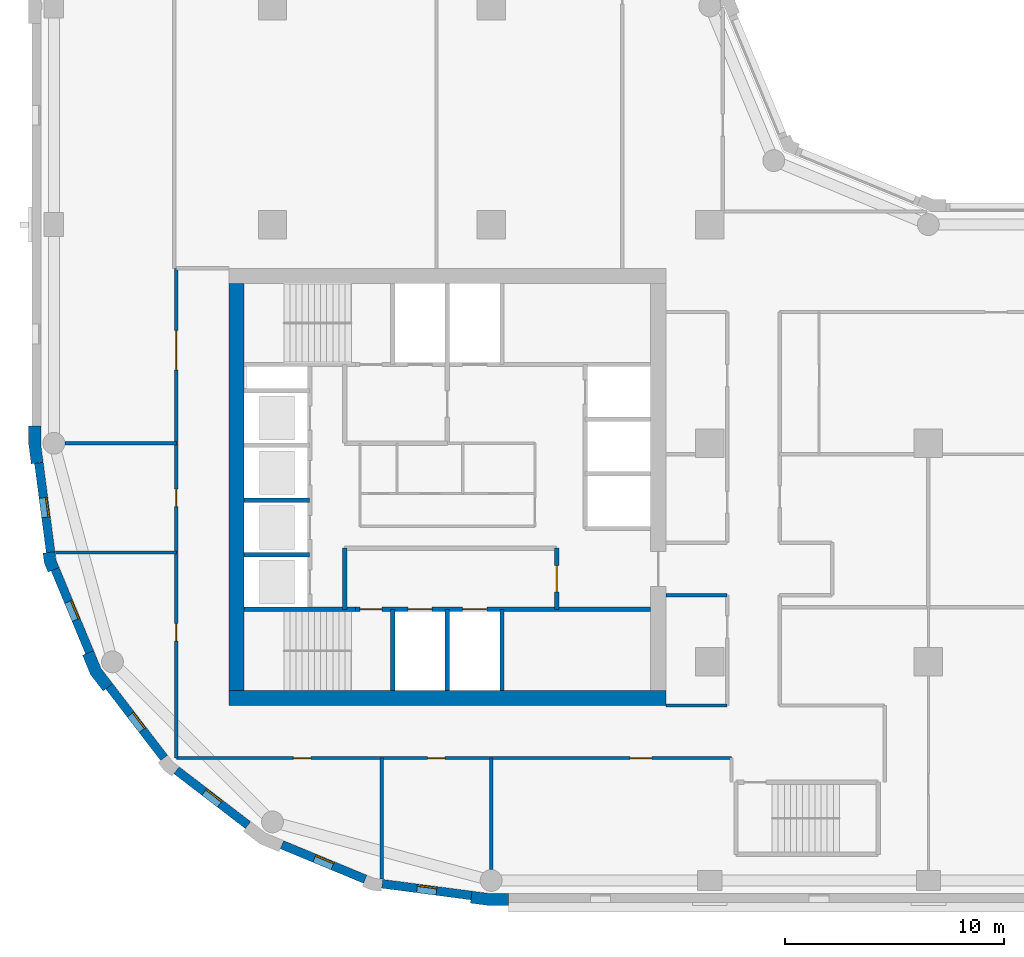
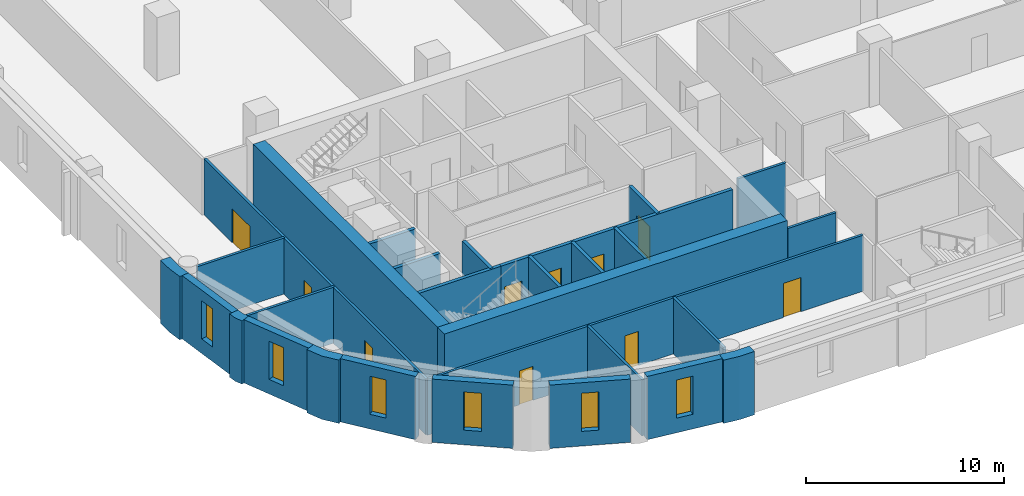
# One storey, part 2 of 9: 29 walls, 10 doors, 6 windows, 16 openings.
"""IFC4 building model written with IfcOpenShell, lengths in metres."""

from ifc_helpers import new_model, si_unit, direction, frame, frame_2d, origin, place, context, subcontext, project, spatial, polyline, rectangle, outline, extrude, material, layer, layer_set, type_object, element, fill, save


model = new_model("IFC4")

# Units and contexts
model_context = context("Model", 3, precision=1e-05, world=origin(), true_north=direction((0.0, 1.0)))
body_context = subcontext(model_context, "Body", "Model", "MODEL_VIEW")
ifc_project = project(units=[si_unit("LENGTHUNIT", "METRE"), si_unit("AREAUNIT", "SQUARE_METRE"), si_unit("VOLUMEUNIT", "CUBIC_METRE"), si_unit("PLANEANGLEUNIT", "RADIAN"), si_unit("MASSUNIT", "GRAM", prefix="KILO")], contexts=[model_context])

# Site, building, storey
site_placement = place(None, origin())
site = spatial("IfcSite", under=ifc_project, at=site_placement, CompositionType="ELEMENT")
building_placement = place(site_placement, origin())
building = spatial("IfcBuilding", under=site, at=building_placement, Name="Qaws Garden Tower", CompositionType="ELEMENT")
storey_placement = place(building_placement, frame((0.0, 0.0, 233.10009765625)))
storey = spatial("IfcBuildingStorey", under=building, at=storey_placement, Name="L57", CompositionType="ELEMENT", Elevation=233.10009765625)

# Wall, opening, window
ifc_material_1 = material(Name="Buff clay facing brick masonry", Category="masonry")
ifc_layer_1 = layer(ifc_material_1, 0.39990234375)
ifc_layer_set_1 = layer_set([ifc_layer_1], Name="Buff clay facing brick masonry")
wall_type_1 = type_object("IfcWallType", Name="Buff brick infill wall 400", PredefinedType="SOLIDWALL", material=ifc_layer_set_1)
wall_1_placement = place(storey_placement, frame((-0.688720703125, 19.102294921875, 0.0), z_axis=(0.0, 0.0, 1.0), x_axis=(0.130514280502, -0.991446429508, 0.0)))
wall_1 = element("IfcWall", 1, at=wall_1_placement, inside=storey, type_object=wall_type_1, Name="E-L57-infill-25", PredefinedType="SOLIDWALL", context=body_context, shape_type="SweptSolid", body=[
    extrude(rectangle(XDim=4.120849609375, YDim=0.39990234375, at=frame_2d((2.060546875, 0.0))), origin(), (0.0, 0.0, 1.0), 3.89990234375),
])
opening_1_placement = place(wall_1_placement, frame((1.610595703125, 0.0, 0.89990234375)))
opening_1 = element("IfcOpeningElement", 2, at=opening_1_placement, cuts=wall_1, Name="Opening W09", PredefinedType="OPENING", context=body_context, shape_type="SweptSolid", body=[
    extrude(rectangle(XDim=0.89990234375, YDim=2.35009765625, at=frame_2d((0.449951171875, 1.175048828125))), frame((0.0, 0.2099609375, 0.0), z_axis=(0.0, -1.0, 0.0), x_axis=(1.0, 0.0, 0.0)), (0.0, 0.0, 1.0), 0.419921875),
])
ifc_material_2 = material(Name="Aluminium framed window, clear glazing", Category="aluminium")
window_type = type_object("IfcWindowType", Name="Slit window 900 x 2350", PartitioningType="SINGLE_PANEL", PredefinedType="WINDOW", material=ifc_material_2)
window_1_placement = place(opening_1_placement, origin())
window_1 = element("IfcWindow", 3, at=window_1_placement, inside=storey, type_object=window_type, Name="E-L57-window-25-0", OverallHeight=2.35009765625, OverallWidth=0.89990234375, PartitioningType="SINGLE_PANEL", PredefinedType="WINDOW", context=body_context, shape_type="SweptSolid", body=[
    extrude(rectangle(XDim=0.89990234375, YDim=2.35009765625, at=frame_2d((0.449951171875, 1.175048828125))), frame((0.0, 0.159912109375, 0.0), z_axis=(0.0, -1.0, 0.0), x_axis=(1.0, 0.0, 0.0)), (0.0, 0.0, 1.0), 0.06005859375),
])
fill(opening_1, window_1)

wall_2_placement = place(storey_placement, frame((0.05712890625, 14.240234375, 0.0), z_axis=(0.0, 0.0, 1.0), x_axis=(0.382721546029, -0.923863744394, 0.0)))
wall_2 = element("IfcWall", 4, at=wall_2_placement, inside=storey, type_object=wall_type_1, Name="E-L57-infill-26", PredefinedType="SOLIDWALL", context=body_context, shape_type="SweptSolid", body=[
    extrude(rectangle(XDim=4.120849609375, YDim=0.39990234375, at=frame_2d((2.060546875, 0.0))), origin(), (0.0, 0.0, 1.0), 3.89990234375),
])
opening_2_placement = place(wall_2_placement, frame((1.610595703125, 0.0, 0.89990234375)))
opening_2 = element("IfcOpeningElement", 5, at=opening_2_placement, cuts=wall_2, Name="Opening W09", PredefinedType="OPENING", context=body_context, shape_type="SweptSolid", body=[
    extrude(rectangle(XDim=0.89990234375, YDim=2.35009765625, at=frame_2d((0.449951171875, 1.175048828125))), frame((0.0, 0.2099609375, 0.0), z_axis=(0.0, -1.0, 0.0), x_axis=(1.0, 0.0, 0.0)), (0.0, 0.0, 1.0), 0.419921875),
])
window_2_placement = place(opening_2_placement, origin())
window_2 = element("IfcWindow", 6, at=window_2_placement, inside=storey, type_object=window_type, Name="E-L57-window-26-0", OverallHeight=2.35009765625, OverallWidth=0.89990234375, PartitioningType="SINGLE_PANEL", PredefinedType="WINDOW", context=body_context, shape_type="SweptSolid", body=[
    extrude(rectangle(XDim=0.89990234375, YDim=2.35009765625, at=frame_2d((0.449951171875, 1.175048828125))), frame((0.0, 0.159912109375, 0.0), z_axis=(0.0, -1.0, 0.0), x_axis=(1.0, 0.0, 0.0)), (0.0, 0.0, 1.0), 0.06005859375),
])
fill(opening_2, window_2)

wall_3_placement = place(storey_placement, frame((2.53173828125, 8.87841796875, 0.0), z_axis=(0.0, 0.0, 1.0), x_axis=(0.608759824817, -0.793354571229, 0.0)))
wall_3 = element("IfcWall", 7, at=wall_3_placement, inside=storey, type_object=wall_type_1, Name="E-L57-infill-27", PredefinedType="SOLIDWALL", context=body_context, shape_type="SweptSolid", body=[
    extrude(rectangle(XDim=4.12109375, YDim=0.39990234375, at=frame_2d((2.060546875, 0.0))), origin(), (0.0, 0.0, 1.0), 3.89990234375),
])
opening_3_placement = place(wall_3_placement, frame((1.610595703125, 0.0, 0.89990234375)))
opening_3 = element("IfcOpeningElement", 8, at=opening_3_placement, cuts=wall_3, Name="Opening W09", PredefinedType="OPENING", context=body_context, shape_type="SweptSolid", body=[
    extrude(rectangle(XDim=0.89990234375, YDim=2.35009765625, at=frame_2d((0.449951171875, 1.175048828125))), frame((0.0, 0.2099609375, 0.0), z_axis=(0.0, -1.0, 0.0), x_axis=(1.0, 0.0, 0.0)), (0.0, 0.0, 1.0), 0.419921875),
])
window_3_placement = place(opening_3_placement, origin())
window_3 = element("IfcWindow", 9, at=window_3_placement, inside=storey, type_object=window_type, Name="E-L57-window-27-0", OverallHeight=2.35009765625, OverallWidth=0.89990234375, PartitioningType="SINGLE_PANEL", PredefinedType="WINDOW", context=body_context, shape_type="SweptSolid", body=[
    extrude(rectangle(XDim=0.89990234375, YDim=2.35009765625, at=frame_2d((0.449951171875, 1.175048828125))), frame((0.0, 0.159912109375, 0.0), z_axis=(0.0, -1.0, 0.0), x_axis=(1.0, 0.0, 0.0)), (0.0, 0.0, 1.0), 0.06005859375),
])
fill(opening_3, window_3)

wall_4_placement = place(storey_placement, frame((5.60888671875, 5.04052734375, 0.0), z_axis=(0.0, 0.0, 1.0), x_axis=(0.793354571229, -0.608759824817, 0.0)))
wall_4 = element("IfcWall", 10, at=wall_4_placement, inside=storey, type_object=wall_type_1, Name="E-L57-infill-28", PredefinedType="SOLIDWALL", context=body_context, shape_type="SweptSolid", body=[
    extrude(rectangle(XDim=4.12109375, YDim=0.39990234375, at=frame_2d((2.060546875, 0.0))), origin(), (0.0, 0.0, 1.0), 3.89990234375),
])
opening_4_placement = place(wall_4_placement, frame((1.610595703125, 0.0, 0.89990234375)))
opening_4 = element("IfcOpeningElement", 11, at=opening_4_placement, cuts=wall_4, Name="Opening W09", PredefinedType="OPENING", context=body_context, shape_type="SweptSolid", body=[
    extrude(rectangle(XDim=0.89990234375, YDim=2.35009765625, at=frame_2d((0.449951171875, 1.175048828125))), frame((0.0, 0.2099609375, 0.0), z_axis=(0.0, -1.0, 0.0), x_axis=(1.0, 0.0, 0.0)), (0.0, 0.0, 1.0), 0.419921875),
])
window_4_placement = place(opening_4_placement, origin())
window_4 = element("IfcWindow", 12, at=window_4_placement, inside=storey, type_object=window_type, Name="E-L57-window-28-0", OverallHeight=2.35009765625, OverallWidth=0.89990234375, PartitioningType="SINGLE_PANEL", PredefinedType="WINDOW", context=body_context, shape_type="SweptSolid", body=[
    extrude(rectangle(XDim=0.89990234375, YDim=2.35009765625, at=frame_2d((0.449951171875, 1.175048828125))), frame((0.0, 0.159912109375, 0.0), z_axis=(0.0, -1.0, 0.0), x_axis=(1.0, 0.0, 0.0)), (0.0, 0.0, 1.0), 0.06005859375),
])
fill(opening_4, window_4)

wall_5_placement = place(storey_placement, frame((10.43310546875, 1.63427734375, 0.0), z_axis=(0.0, 0.0, 1.0), x_axis=(0.923863744394, -0.382721546029, 0.0)))
wall_5 = element("IfcWall", 13, at=wall_5_placement, inside=storey, type_object=wall_type_1, Name="E-L57-infill-29", PredefinedType="SOLIDWALL", context=body_context, shape_type="SweptSolid", body=[
    extrude(rectangle(XDim=4.120849609375, YDim=0.39990234375, at=frame_2d((2.060546875, 0.0))), origin(), (0.0, 0.0, 1.0), 3.89990234375),
])
opening_5_placement = place(wall_5_placement, frame((1.610595703125, 0.0, 0.89990234375)))
opening_5 = element("IfcOpeningElement", 14, at=opening_5_placement, cuts=wall_5, Name="Opening W09", PredefinedType="OPENING", context=body_context, shape_type="SweptSolid", body=[
    extrude(rectangle(XDim=0.89990234375, YDim=2.35009765625, at=frame_2d((0.449951171875, 1.175048828125))), frame((0.0, 0.2099609375, 0.0), z_axis=(0.0, -1.0, 0.0), x_axis=(1.0, 0.0, 0.0)), (0.0, 0.0, 1.0), 0.419921875),
])
window_5_placement = place(opening_5_placement, origin())
window_5 = element("IfcWindow", 15, at=window_5_placement, inside=storey, type_object=window_type, Name="E-L57-window-29-0", OverallHeight=2.35009765625, OverallWidth=0.89990234375, PartitioningType="SINGLE_PANEL", PredefinedType="WINDOW", context=body_context, shape_type="SweptSolid", body=[
    extrude(rectangle(XDim=0.89990234375, YDim=2.35009765625, at=frame_2d((0.449951171875, 1.175048828125))), frame((0.0, 0.159912109375, 0.0), z_axis=(0.0, -1.0, 0.0), x_axis=(1.0, 0.0, 0.0)), (0.0, 0.0, 1.0), 0.06005859375),
])
fill(opening_5, window_5)

wall_6_placement = place(storey_placement, frame((15.0166015625, -0.15087890625, 0.0), z_axis=(0.0, 0.0, 1.0), x_axis=(0.991446429508, -0.130514280502, 0.0)))
wall_6 = element("IfcWall", 16, at=wall_6_placement, inside=storey, type_object=wall_type_1, Name="E-L57-infill-30", PredefinedType="SOLIDWALL", context=body_context, shape_type="SweptSolid", body=[
    extrude(rectangle(XDim=4.120849609375, YDim=0.39990234375, at=frame_2d((2.060546875, 0.0))), origin(), (0.0, 0.0, 1.0), 3.89990234375),
])
opening_6_placement = place(wall_6_placement, frame((1.610595703125, 0.0, 0.89990234375)))
opening_6 = element("IfcOpeningElement", 17, at=opening_6_placement, cuts=wall_6, Name="Opening W09", PredefinedType="OPENING", context=body_context, shape_type="SweptSolid", body=[
    extrude(rectangle(XDim=0.89990234375, YDim=2.35009765625, at=frame_2d((0.449951171875, 1.175048828125))), frame((0.0, 0.2099609375, 0.0), z_axis=(0.0, -1.0, 0.0), x_axis=(1.0, 0.0, 0.0)), (0.0, 0.0, 1.0), 0.419921875),
])
window_6_placement = place(opening_6_placement, origin())
window_6 = element("IfcWindow", 18, at=window_6_placement, inside=storey, type_object=window_type, Name="E-L57-window-30-0", OverallHeight=2.35009765625, OverallWidth=0.89990234375, PartitioningType="SINGLE_PANEL", PredefinedType="WINDOW", context=body_context, shape_type="SweptSolid", body=[
    extrude(rectangle(XDim=0.89990234375, YDim=2.35009765625, at=frame_2d((0.449951171875, 1.175048828125))), frame((0.0, 0.159912109375, 0.0), z_axis=(0.0, -1.0, 0.0), x_axis=(1.0, 0.0, 0.0)), (0.0, 0.0, 1.0), 0.06005859375),
])
fill(opening_6, window_6)

# Walls
ifc_material_3 = material(Name="Buff clay facing brick masonry", Category="masonry")
ifc_layer_2 = layer(ifc_material_3, 0.550048828125)
ifc_layer_set_2 = layer_set([ifc_layer_2], Name="Buff clay facing brick masonry")
wall_type_2 = type_object("IfcWallType", Name="Buff brick kink pier 550 x 600", PredefinedType="SOLIDWALL", material=ifc_layer_set_2)
placement = place(storey_placement, origin())
element("IfcWall", 19, at=placement, inside=storey, type_object=wall_type_2, Name="E-L57-pier-26", PredefinedType="SOLIDWALL", context=body_context, shape_type="SweptSolid", body=[
    extrude(outline(polyline([(-0.34912109375, 14.990478515625), (-0.497802734375, 14.970947265625), (-0.43896484375, 14.5234375), (-0.26611328125, 14.1064453125), (-0.127685546875, 14.163818359375), (0.241943359375, 14.31689453125), (0.096923828125, 14.6669921875), (0.04736328125, 15.042724609375), (-0.34912109375, 14.990478515625)])), origin(), (0.0, 0.0, 1.0), 3.89990234375),
])
ifc_material_4 = material(Name="Buff clay facing brick masonry", Category="masonry")
ifc_layer_3 = layer(ifc_material_4, 0.550048828125)
ifc_layer_set_3 = layer_set([ifc_layer_3], Name="Buff clay facing brick masonry")
wall_type_3 = type_object("IfcWallType", Name="Buff brick pier 550 x 1600", PredefinedType="SOLIDWALL", material=ifc_layer_set_3)
element("IfcWall", 20, at=placement, inside=storey, type_object=wall_type_3, Name="E-L57-pier-00", PredefinedType="SOLIDWALL", context=body_context, shape_type="SweptSolid", body=[
    extrude(outline(polyline([(19.076416015625, -0.886962890625), (19.056640625, -1.03564453125), (19.924560546875, -1.14990234375), (20.800048828125, -1.14990234375), (20.800048828125, -1.0), (20.800048828125, -0.60009765625), (19.960693359375, -0.60009765625), (19.12841796875, -0.490478515625), (19.076416015625, -0.886962890625)])), origin(), (0.0, 0.0, 1.0), 3.89990234375),
])
element("IfcWall", 21, at=placement, inside=storey, type_object=wall_type_3, Name="E-L57-pier-25", PredefinedType="SOLIDWALL", context=body_context, shape_type="SweptSolid", body=[
    extrude(outline(polyline([(-1.0, 20.800048828125), (-1.14990234375, 20.800048828125), (-1.14990234375, 19.924560546875), (-1.03564453125, 19.056640625), (-0.886962890625, 19.076416015625), (-0.490478515625, 19.12841796875), (-0.60009765625, 19.960693359375), (-0.60009765625, 20.800048828125), (-1.0, 20.800048828125)])), origin(), (0.0, 0.0, 1.0), 3.89990234375),
])
element("IfcWall", 22, at=placement, inside=storey, type_object=wall_type_3, Name="E-L57-pier-27", PredefinedType="SOLIDWALL", context=body_context, shape_type="SweptSolid", body=[
    extrude(outline(polyline([(1.449462890625, 10.3564453125), (1.310791015625, 10.299072265625), (1.675048828125, 9.419921875), (2.254150390625, 8.665283203125), (2.373046875, 8.756591796875), (2.6904296875, 9.0), (2.1552734375, 9.697509765625), (1.819091796875, 10.509521484375), (1.449462890625, 10.3564453125)])), origin(), (0.0, 0.0, 1.0), 3.89990234375),
])
ifc_material_5 = material(Name="Concrete C70", Category="concrete")
ifc_layer_4 = layer(ifc_material_5, 0.199951171875)
ifc_layer_set_4 = layer_set([ifc_layer_4], Name="Concrete C70")
wall_type_4 = type_object("IfcWallType", Name="Core shaft wall 200 C70", PredefinedType="SHEAR", material=ifc_layer_set_4)
wall_11_placement = place(storey_placement, frame((8.699951171875, 12.39990234375, 0.0), z_axis=(0.0, 0.0, 1.0), x_axis=(1.0, 0.0, 0.0)))
element("IfcWall", 23, at=wall_11_placement, inside=storey, type_object=wall_type_4, Name="Shaft wall", PredefinedType="SHEAR", context=body_context, shape_type="SweptSolid", body=[
    extrude(rectangle(XDim=5.10009765625, YDim=0.199951171875, at=frame_2d((2.550048828125, 0.0))), origin(), (0.0, 0.0, 1.0), 3.449951171875),
])

# Wall, openings, doors
wall_12_placement = place(storey_placement, frame((13.800048828125, 12.39990234375, 0.0), z_axis=(0.0, 0.0, 1.0), x_axis=(1.0, 0.0, 0.0)))
wall_12 = element("IfcWall", 24, at=wall_12_placement, inside=storey, type_object=wall_type_4, Name="Shaft wall", PredefinedType="SHEAR", context=body_context, shape_type="SweptSolid", body=[
    extrude(rectangle(XDim=13.5, YDim=0.199951171875, at=frame_2d((6.75, 0.0))), origin(), (0.0, 0.0, 1.0), 3.449951171875),
])
opening_7_placement = place(wall_12_placement, frame((2.39990234375, 0.0, 0.0)))
opening_7 = element("IfcOpeningElement", 25, at=opening_7_placement, cuts=wall_12, Name="Opening LD06", PredefinedType="OPENING", context=body_context, shape_type="SweptSolid", body=[
    extrude(rectangle(XDim=1.10009765625, YDim=2.10009765625, at=frame_2d((0.550048828125, 1.050048828125))), frame((0.0, 0.10986328125, 0.0), z_axis=(0.0, -1.0, 0.0), x_axis=(1.0, 0.0, 0.0)), (0.0, 0.0, 1.0), 0.219970703125),
])
opening_8_placement = place(wall_12_placement, frame((4.89990234375, 0.0, 0.0)))
opening_8 = element("IfcOpeningElement", 26, at=opening_8_placement, cuts=wall_12, Name="Opening LD07", PredefinedType="OPENING", context=body_context, shape_type="SweptSolid", body=[
    extrude(rectangle(XDim=1.10009765625, YDim=2.10009765625, at=frame_2d((0.550048828125, 1.050048828125))), frame((0.0, 0.10986328125, 0.0), z_axis=(0.0, -1.0, 0.0), x_axis=(1.0, 0.0, 0.0)), (0.0, 0.0, 1.0), 0.219970703125),
])
opening_9_placement = place(wall_12_placement, frame((0.199951171875, 0.0, 0.0)))
opening_9 = element("IfcOpeningElement", 27, at=opening_9_placement, cuts=wall_12, Name="Opening SD10", PredefinedType="OPENING", context=body_context, shape_type="SweptSolid", body=[
    extrude(rectangle(XDim=1.0, YDim=2.10009765625, at=frame_2d((0.5, 1.050048828125))), frame((0.0, 0.10986328125, 0.0), z_axis=(0.0, -1.0, 0.0), x_axis=(1.0, 0.0, 0.0)), (0.0, 0.0, 1.0), 0.219970703125),
])
ifc_material_6 = material(Name="Steel S235", Category="steel")
door_type_1 = type_object("IfcDoorType", Name="Landing door 1100x2100", OperationType="DOUBLE_DOOR_SLIDING", PredefinedType="DOOR", material=ifc_material_6)
door_1_placement = place(opening_7_placement, origin())
door_1 = element("IfcDoor", 28, at=door_1_placement, inside=storey, type_object=door_type_1, Name="Lift FF1 landing door", OperationType="DOUBLE_DOOR_SLIDING", OverallHeight=2.10009765625, OverallWidth=1.10009765625, PredefinedType="DOOR", context=body_context, shape_type="SweptSolid", body=[
    extrude(rectangle(XDim=1.10009765625, YDim=2.10009765625, at=frame_2d((0.550048828125, 1.050048828125))), frame((0.0, 0.02490234375, 0.0), z_axis=(0.0, -1.0, 0.0), x_axis=(1.0, 0.0, 0.0)), (0.0, 0.0, 1.0), 0.050048828125),
])
fill(opening_7, door_1)
door_2_placement = place(opening_8_placement, origin())
door_2 = element("IfcDoor", 29, at=door_2_placement, inside=storey, type_object=door_type_1, Name="Lift FF2 landing door", OperationType="DOUBLE_DOOR_SLIDING", OverallHeight=2.10009765625, OverallWidth=1.10009765625, PredefinedType="DOOR", context=body_context, shape_type="SweptSolid", body=[
    extrude(rectangle(XDim=1.10009765625, YDim=2.10009765625, at=frame_2d((0.550048828125, 1.050048828125))), frame((0.0, 0.02490234375, 0.0), z_axis=(0.0, -1.0, 0.0), x_axis=(1.0, 0.0, 0.0)), (0.0, 0.0, 1.0), 0.050048828125),
])
fill(opening_8, door_2)
ifc_material_7 = material(Name="Steel S235", Category="steel")
door_type_2 = type_object("IfcDoorType", Name="Stair door 1000x2100", OperationType="SINGLE_SWING_RIGHT", PredefinedType="DOOR", material=ifc_material_7)
door_3_placement = place(opening_9_placement, frame((1.0, 0.0, 0.0), z_axis=(0.0, 0.0, 1.0), x_axis=(-1.0, 0.0, 0.0)))
door_3 = element("IfcDoor", 30, at=door_3_placement, inside=storey, type_object=door_type_2, Name="Stair 1 door", OperationType="SINGLE_SWING_LEFT", OverallHeight=2.10009765625, OverallWidth=1.0, PredefinedType="DOOR", context=body_context, shape_type="SweptSolid", body=[
    extrude(rectangle(XDim=1.0, YDim=2.10009765625, at=frame_2d((0.5, 1.050048828125))), frame((0.0, 0.02490234375, 0.0), z_axis=(0.0, -1.0, 0.0), x_axis=(1.0, 0.0, 0.0)), (0.0, 0.0, 1.0), 0.050048828125),
])
fill(opening_9, door_3)

# Walls
for number, where, z_axis, x_axis, name in (
    (31, (8.699951171875, 14.89990234375, 0.0), (0.0, 0.0, 1.0), (1.0, 0.0, 0.0), "Shaft wall"),
    (32, (8.699951171875, 17.39990234375, 0.0), (0.0, 0.0, 1.0), (1.0, 0.0, 0.0), "Shaft wall"),
):
    element("IfcWall", number, at=place(storey_placement, frame(where, z_axis=z_axis, x_axis=x_axis)), inside=storey, type_object=wall_type_4, Name=name, PredefinedType="SHEAR", context=body_context, shape_type="SweptSolid", body=[
        extrude(rectangle(XDim=3.0, YDim=0.199951171875, at=frame_2d((1.5, 0.0))), origin(), (0.0, 0.0, 1.0), 3.449951171875),
    ])
wall_13_placement = place(storey_placement, frame((13.300048828125, 12.39990234375, 0.0), z_axis=(0.0, 0.0, 1.0), x_axis=(0.0, 1.0, 0.0)))
element("IfcWall", 33, at=wall_13_placement, inside=storey, type_object=wall_type_4, Name="Shaft wall", PredefinedType="SHEAR", context=body_context, shape_type="SweptSolid", body=[
    extrude(rectangle(XDim=2.800048828125, YDim=0.199951171875, at=frame_2d((1.39990234375, 0.0))), origin(), (0.0, 0.0, 1.0), 3.449951171875),
])
for number, where, z_axis, x_axis, name in (
    (34, (15.5, 8.699951171875, 0.0), (0.0, 0.0, 1.0), (0.0, 1.0, 0.0), "Shaft wall"),
    (35, (18.0, 8.699951171875, 0.0), (0.0, 0.0, 1.0), (0.0, 1.0, 0.0), "Shaft wall"),
    (36, (20.5, 8.699951171875, 0.0), (0.0, 0.0, 1.0), (0.0, 1.0, 0.0), "Shaft wall"),
):
    element("IfcWall", number, at=place(storey_placement, frame(where, z_axis=z_axis, x_axis=x_axis)), inside=storey, type_object=wall_type_4, Name=name, PredefinedType="SHEAR", context=body_context, shape_type="SweptSolid", body=[
        extrude(rectangle(XDim=3.699951171875, YDim=0.199951171875, at=frame_2d((1.85009765625, 0.0))), origin(), (0.0, 0.0, 1.0), 3.449951171875),
    ])

# Wall, opening, door
wall_14_placement = place(storey_placement, frame((23.0, 12.39990234375, 0.0), z_axis=(0.0, 0.0, 1.0), x_axis=(0.0, 1.0, 0.0)))
wall_14 = element("IfcWall", 37, at=wall_14_placement, inside=storey, type_object=wall_type_4, Name="Shaft wall", PredefinedType="SHEAR", context=body_context, shape_type="SweptSolid", body=[
    extrude(rectangle(XDim=2.800048828125, YDim=0.199951171875, at=frame_2d((1.39990234375, 0.0))), origin(), (0.0, 0.0, 1.0), 3.449951171875),
])
opening_10_placement = place(wall_14_placement, frame((0.800048828125, 0.0, 0.0)))
opening_10 = element("IfcOpeningElement", 38, at=opening_10_placement, cuts=wall_14, Name="Opening FD15", PredefinedType="OPENING", context=body_context, shape_type="SweptSolid", body=[
    extrude(rectangle(XDim=1.199951171875, YDim=2.10009765625, at=frame_2d((0.60009765625, 1.050048828125))), frame((0.0, 0.10986328125, 0.0), z_axis=(0.0, -1.0, 0.0), x_axis=(1.0, 0.0, 0.0)), (0.0, 0.0, 1.0), 0.219970703125),
])
ifc_material_8 = material(Name="Steel S235", Category="steel")
door_type_3 = type_object("IfcDoorType", Name="Lobby door 1200x2100", OperationType="DOUBLE_DOOR_SINGLE_SWING", PredefinedType="DOOR", material=ifc_material_8)
door_4_placement = place(opening_10_placement, origin())
door_4 = element("IfcDoor", 39, at=door_4_placement, inside=storey, type_object=door_type_3, Name="Fire-fighting lobby door", OperationType="DOUBLE_DOOR_SINGLE_SWING", OverallHeight=2.10009765625, OverallWidth=1.199951171875, PredefinedType="DOOR", context=body_context, shape_type="SweptSolid", body=[
    extrude(rectangle(XDim=1.199951171875, YDim=2.10009765625, at=frame_2d((0.60009765625, 1.050048828125))), frame((0.0, 0.02490234375, 0.0), z_axis=(0.0, -1.0, 0.0), x_axis=(1.0, 0.0, 0.0)), (0.0, 0.0, 1.0), 0.050048828125),
])
fill(opening_10, door_4)

# Walls
ifc_material_9 = material(Name="Concrete C70", Category="concrete")
ifc_layer_5 = layer(ifc_material_9, 0.699951171875)
ifc_layer_set_5 = layer_set([ifc_layer_5], Name="Concrete C70")
wall_type_5 = type_object("IfcWallType", Name="Core wall 700 C70", PredefinedType="SHEAR", material=ifc_layer_set_5)
wall_15_placement = place(storey_placement, frame((8.0, 8.35009765625, 0.0), z_axis=(0.0, 0.0, 1.0), x_axis=(1.0, 0.0, 0.0)))
element("IfcWall", 40, at=wall_15_placement, inside=storey, type_object=wall_type_5, Name="Core wall L57 south", PredefinedType="SHEAR", context=body_context, shape_type="SweptSolid", body=[
    extrude(rectangle(XDim=20.0, YDim=0.699951171875, at=frame_2d((10.0, 0.0))), origin(), (0.0, 0.0, 1.0), 3.89990234375),
])
wall_16_placement = place(storey_placement, frame((8.35009765625, 27.300048828125, 0.0), z_axis=(0.0, 0.0, 1.0), x_axis=(0.0, -1.0, 0.0)))
element("IfcWall", 41, at=wall_16_placement, inside=storey, type_object=wall_type_5, Name="Core wall L57 west", PredefinedType="SHEAR", context=body_context, shape_type="SweptSolid", body=[
    extrude(rectangle(XDim=18.60009765625, YDim=0.699951171875, at=frame_2d((9.300048828125, 0.0))), origin(), (0.0, 0.0, 1.0), 3.89990234375),
])

# Wall, openings, doors
ifc_material_10 = material(Name="Gypsum board partition")
ifc_layer_6 = layer(ifc_material_10, 0.14990234375)
ifc_layer_set_6 = layer_set([ifc_layer_6], Name="Gypsum board partition")
wall_type_6 = type_object("IfcWallType", Name="PARTITION 150 EI 60", PredefinedType="PARTITIONING", material=ifc_layer_set_6)
wall_17_placement = place(storey_placement, frame((5.60009765625, 5.60009765625, 0.0), z_axis=(0.0, 0.0, 1.0), x_axis=(0.0, 1.0, 0.0)))
wall_17 = element("IfcWall", 42, at=wall_17_placement, inside=storey, type_object=wall_type_6, Name="O-L57-wall-010", PredefinedType="PARTITIONING", context=body_context, shape_type="SweptSolid", body=[
    extrude(rectangle(XDim=22.39990234375, YDim=0.14990234375, at=frame_2d((11.199951171875, 0.0))), origin(), (0.0, 0.0, 1.0), 3.449951171875),
])
opening_11_placement = place(wall_17_placement, frame((5.35009765625, 0.0, 0.0)))
opening_11 = element("IfcOpeningElement", 43, at=opening_11_placement, cuts=wall_17, Name="Opening B901", PredefinedType="OPENING", context=body_context, shape_type="SweptSolid", body=[
    extrude(rectangle(XDim=0.800048828125, YDim=2.10009765625, at=frame_2d((0.39990234375, 1.050048828125))), frame((0.0, 0.0849609375, 0.0), z_axis=(0.0, -1.0, 0.0), x_axis=(1.0, 0.0, 0.0)), (0.0, 0.0, 1.0), 0.169921875),
])
opening_12_placement = place(wall_17_placement, frame((11.5, 0.0, 0.0)))
opening_12 = element("IfcOpeningElement", 44, at=opening_12_placement, cuts=wall_17, Name="Opening B902", PredefinedType="OPENING", context=body_context, shape_type="SweptSolid", body=[
    extrude(rectangle(XDim=0.800048828125, YDim=2.10009765625, at=frame_2d((0.39990234375, 1.050048828125))), frame((0.0, 0.0849609375, 0.0), z_axis=(0.0, -1.0, 0.0), x_axis=(1.0, 0.0, 0.0)), (0.0, 0.0, 1.0), 0.169921875),
])
opening_13_placement = place(wall_17_placement, frame((17.75, 0.0, 0.0)))
opening_13 = element("IfcOpeningElement", 45, at=opening_13_placement, cuts=wall_17, Name="Opening B907", PredefinedType="OPENING", context=body_context, shape_type="SweptSolid", body=[
    extrude(rectangle(XDim=1.800048828125, YDim=2.10009765625, at=frame_2d((0.89990234375, 1.050048828125))), frame((0.0, 0.0849609375, 0.0), z_axis=(0.0, -1.0, 0.0), x_axis=(1.0, 0.0, 0.0)), (0.0, 0.0, 1.0), 0.169921875),
])
ifc_material_11 = material(Name="Timber door leaf", Category="wood")
door_type_4 = type_object("IfcDoorType", Name="DOUBLE DOOR 1800 X 2100", OperationType="DOUBLE_DOOR_SINGLE_SWING", PredefinedType="DOOR", material=ifc_material_11)
door_5_placement = place(opening_13_placement, origin())
door_5 = element("IfcDoor", 46, at=door_5_placement, inside=storey, type_object=door_type_4, Name="O-L57-door-007", OperationType="DOUBLE_DOOR_SINGLE_SWING", OverallHeight=2.10009765625, OverallWidth=1.800048828125, PredefinedType="DOOR", context=body_context, shape_type="SweptSolid", body=[
    extrude(rectangle(XDim=1.800048828125, YDim=2.10009765625, at=frame_2d((0.89990234375, 1.050048828125))), frame((0.0, 0.02490234375, 0.0), z_axis=(0.0, -1.0, 0.0), x_axis=(1.0, 0.0, 0.0)), (0.0, 0.0, 1.0), 0.050048828125),
])
fill(opening_13, door_5)
ifc_material_12 = material(Name="Timber door leaf", Category="wood")
door_type_5 = type_object("IfcDoorType", Name="STORE DOOR 800 X 2100", OperationType="SINGLE_SWING_LEFT", PredefinedType="DOOR", material=ifc_material_12)
door_6_placement = place(opening_11_placement, origin())
door_6 = element("IfcDoor", 47, at=door_6_placement, inside=storey, type_object=door_type_5, Name="O-L57-door-001", OperationType="SINGLE_SWING_RIGHT", OverallHeight=2.10009765625, OverallWidth=0.800048828125, PredefinedType="DOOR", context=body_context, shape_type="SweptSolid", body=[
    extrude(rectangle(XDim=0.800048828125, YDim=2.10009765625, at=frame_2d((0.39990234375, 1.050048828125))), frame((0.0, 0.02490234375, 0.0), z_axis=(0.0, -1.0, 0.0), x_axis=(1.0, 0.0, 0.0)), (0.0, 0.0, 1.0), 0.050048828125),
])
fill(opening_11, door_6)
door_7_placement = place(opening_12_placement, origin())
door_7 = element("IfcDoor", 48, at=door_7_placement, inside=storey, type_object=door_type_5, Name="O-L57-door-002", OperationType="SINGLE_SWING_RIGHT", OverallHeight=2.10009765625, OverallWidth=0.800048828125, PredefinedType="DOOR", context=body_context, shape_type="SweptSolid", body=[
    extrude(rectangle(XDim=0.800048828125, YDim=2.10009765625, at=frame_2d((0.39990234375, 1.050048828125))), frame((0.0, 0.02490234375, 0.0), z_axis=(0.0, -1.0, 0.0), x_axis=(1.0, 0.0, 0.0)), (0.0, 0.0, 1.0), 0.050048828125),
])
fill(opening_12, door_7)

# Walls
wall_18_placement = place(storey_placement, frame((15.0, 0.06298828125, 0.0), z_axis=(0.0, 0.0, 1.0), x_axis=(0.0, 1.0, 0.0)))
element("IfcWall", 49, at=wall_18_placement, inside=storey, type_object=wall_type_6, Name="O-L57-wall-013", PredefinedType="PARTITIONING", context=body_context, shape_type="SweptSolid", body=[
    extrude(rectangle(XDim=5.537109375, YDim=0.14990234375, at=frame_2d((2.7685546875, 0.0))), origin(), (0.0, 0.0, 1.0), 3.449951171875),
])
wall_19_placement = place(storey_placement, frame((20.0, 0.5, 0.0), z_axis=(0.0, 0.0, 1.0), x_axis=(0.0, 1.0, 0.0)))
element("IfcWall", 50, at=wall_19_placement, inside=storey, type_object=wall_type_6, Name="O-L57-wall-016", PredefinedType="PARTITIONING", context=body_context, shape_type="SweptSolid", body=[
    extrude(rectangle(XDim=5.10009765625, YDim=0.14990234375, at=frame_2d((2.550048828125, 0.0))), origin(), (0.0, 0.0, 1.0), 3.449951171875),
])

# Wall, openings, doors
wall_20_placement = place(storey_placement, frame((5.60009765625, 5.60009765625, 0.0), z_axis=(0.0, 0.0, 1.0), x_axis=(1.0, 0.0, 0.0)))
wall_20 = element("IfcWall", 51, at=wall_20_placement, inside=storey, type_object=wall_type_6, Name="O-L57-wall-030", PredefinedType="PARTITIONING", context=body_context, shape_type="SweptSolid", body=[
    extrude(rectangle(XDim=25.39990234375, YDim=0.14990234375, at=frame_2d((12.699951171875, 0.0))), origin(), (0.0, 0.0, 1.0), 3.449951171875),
])
opening_14_placement = place(wall_20_placement, frame((20.75, 0.0, 0.0)))
opening_14 = element("IfcOpeningElement", 52, at=opening_14_placement, cuts=wall_20, Name="Opening B903", PredefinedType="OPENING", context=body_context, shape_type="SweptSolid", body=[
    extrude(rectangle(XDim=1.0, YDim=2.10009765625, at=frame_2d((0.5, 1.050048828125))), frame((0.0, 0.0849609375, 0.0), z_axis=(0.0, -1.0, 0.0), x_axis=(1.0, 0.0, 0.0)), (0.0, 0.0, 1.0), 0.169921875),
])
opening_15_placement = place(wall_20_placement, frame((5.35009765625, 0.0, 0.0)))
opening_15 = element("IfcOpeningElement", 53, at=opening_15_placement, cuts=wall_20, Name="Opening B909", PredefinedType="OPENING", context=body_context, shape_type="SweptSolid", body=[
    extrude(rectangle(XDim=0.800048828125, YDim=2.10009765625, at=frame_2d((0.39990234375, 1.050048828125))), frame((0.0, 0.0849609375, 0.0), z_axis=(0.0, -1.0, 0.0), x_axis=(1.0, 0.0, 0.0)), (0.0, 0.0, 1.0), 0.169921875),
])
opening_16_placement = place(wall_20_placement, frame((11.5, 0.0, 0.0)))
opening_16 = element("IfcOpeningElement", 54, at=opening_16_placement, cuts=wall_20, Name="Opening B913", PredefinedType="OPENING", context=body_context, shape_type="SweptSolid", body=[
    extrude(rectangle(XDim=0.800048828125, YDim=2.10009765625, at=frame_2d((0.39990234375, 1.050048828125))), frame((0.0, 0.0849609375, 0.0), z_axis=(0.0, -1.0, 0.0), x_axis=(1.0, 0.0, 0.0)), (0.0, 0.0, 1.0), 0.169921875),
])
door_8_placement = place(opening_15_placement, frame((0.800048828125, 0.0, 0.0), z_axis=(0.0, 0.0, 1.0), x_axis=(-1.0, 0.0, 0.0)))
door_8 = element("IfcDoor", 55, at=door_8_placement, inside=storey, type_object=door_type_5, Name="O-L57-door-009", OperationType="SINGLE_SWING_LEFT", OverallHeight=2.10009765625, OverallWidth=0.800048828125, PredefinedType="DOOR", context=body_context, shape_type="SweptSolid", body=[
    extrude(rectangle(XDim=0.800048828125, YDim=2.10009765625, at=frame_2d((0.39990234375, 1.050048828125))), frame((0.0, 0.02490234375, 0.0), z_axis=(0.0, -1.0, 0.0), x_axis=(1.0, 0.0, 0.0)), (0.0, 0.0, 1.0), 0.050048828125),
])
fill(opening_15, door_8)
door_9_placement = place(opening_16_placement, frame((0.800048828125, 0.0, 0.0), z_axis=(0.0, 0.0, 1.0), x_axis=(-1.0, 0.0, 0.0)))
door_9 = element("IfcDoor", 56, at=door_9_placement, inside=storey, type_object=door_type_5, Name="O-L57-door-013", OperationType="SINGLE_SWING_LEFT", OverallHeight=2.10009765625, OverallWidth=0.800048828125, PredefinedType="DOOR", context=body_context, shape_type="SweptSolid", body=[
    extrude(rectangle(XDim=0.800048828125, YDim=2.10009765625, at=frame_2d((0.39990234375, 1.050048828125))), frame((0.0, 0.02490234375, 0.0), z_axis=(0.0, -1.0, 0.0), x_axis=(1.0, 0.0, 0.0)), (0.0, 0.0, 1.0), 0.050048828125),
])
fill(opening_16, door_9)
ifc_material_13 = material(Name="Timber door leaf", Category="wood")
door_type_6 = type_object("IfcDoorType", Name="TENANCY ENTRANCE DOOR 1000 X 2100", OperationType="SINGLE_SWING_LEFT", PredefinedType="DOOR", material=ifc_material_13)
door_10_placement = place(opening_14_placement, frame((1.0, 0.0, 0.0), z_axis=(0.0, 0.0, 1.0), x_axis=(-1.0, 0.0, 0.0)))
door_10 = element("IfcDoor", 57, at=door_10_placement, inside=storey, type_object=door_type_6, Name="O-L57-door-003", OperationType="SINGLE_SWING_LEFT", OverallHeight=2.10009765625, OverallWidth=1.0, PredefinedType="DOOR", context=body_context, shape_type="SweptSolid", body=[
    extrude(rectangle(XDim=1.0, YDim=2.10009765625, at=frame_2d((0.5, 1.050048828125))), frame((0.0, 0.02490234375, 0.0), z_axis=(0.0, -1.0, 0.0), x_axis=(1.0, 0.0, 0.0)), (0.0, 0.0, 1.0), 0.050048828125),
])
fill(opening_14, door_10)

# Walls
for number, where, z_axis, x_axis, name in (
    (58, (28.0, 8.0, 0.0), (0.0, 0.0, 1.0), (1.0, 0.0, 0.0), "O-L57-wall-031"),
    (59, (28.0, 13.050048828125, 0.0), (0.0, 0.0, 1.0), (1.0, 0.0, 0.0), "O-L57-wall-034"),
):
    element("IfcWall", number, at=place(storey_placement, frame(where, z_axis=z_axis, x_axis=x_axis)), inside=storey, type_object=wall_type_6, Name=name, PredefinedType="PARTITIONING", context=body_context, shape_type="SweptSolid", body=[
        extrude(rectangle(XDim=2.799072265625, YDim=0.14990234375, at=frame_2d((1.3994140625, 0.0))), origin(), (0.0, 0.0, 1.0), 3.449951171875),
    ])
wall_21_placement = place(storey_placement, frame((0.06298828125, 15.0, 0.0), z_axis=(0.0, 0.0, 1.0), x_axis=(1.0, 0.0, 0.0)))
element("IfcWall", 60, at=wall_21_placement, inside=storey, type_object=wall_type_6, Name="O-L57-wall-036", PredefinedType="PARTITIONING", context=body_context, shape_type="SweptSolid", body=[
    extrude(rectangle(XDim=5.537109375, YDim=0.14990234375, at=frame_2d((2.7685546875, 0.0))), origin(), (0.0, 0.0, 1.0), 3.449951171875),
])
wall_22_placement = place(storey_placement, frame((0.5, 20.0, 0.0), z_axis=(0.0, 0.0, 1.0), x_axis=(1.0, 0.0, 0.0)))
element("IfcWall", 61, at=wall_22_placement, inside=storey, type_object=wall_type_6, Name="O-L57-wall-041", PredefinedType="PARTITIONING", context=body_context, shape_type="SweptSolid", body=[
    extrude(rectangle(XDim=5.10009765625, YDim=0.14990234375, at=frame_2d((2.550048828125, 0.0))), origin(), (0.0, 0.0, 1.0), 3.449951171875),
])

save(model, "model.ifc")
